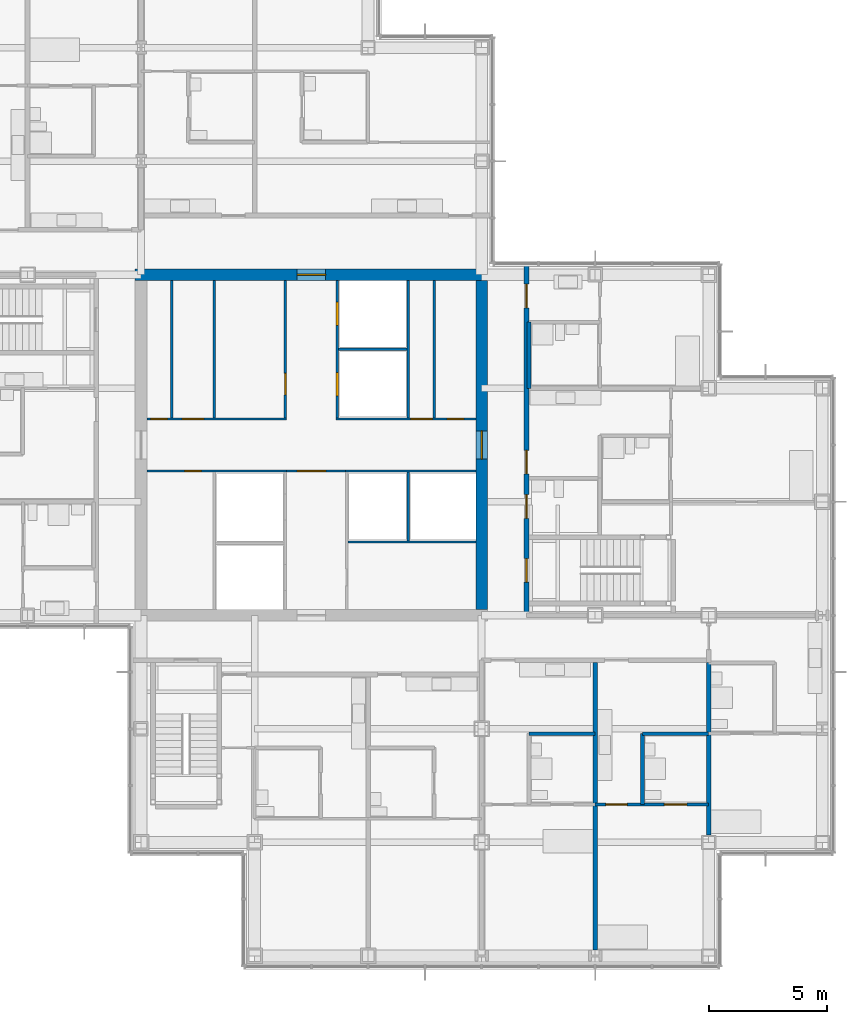
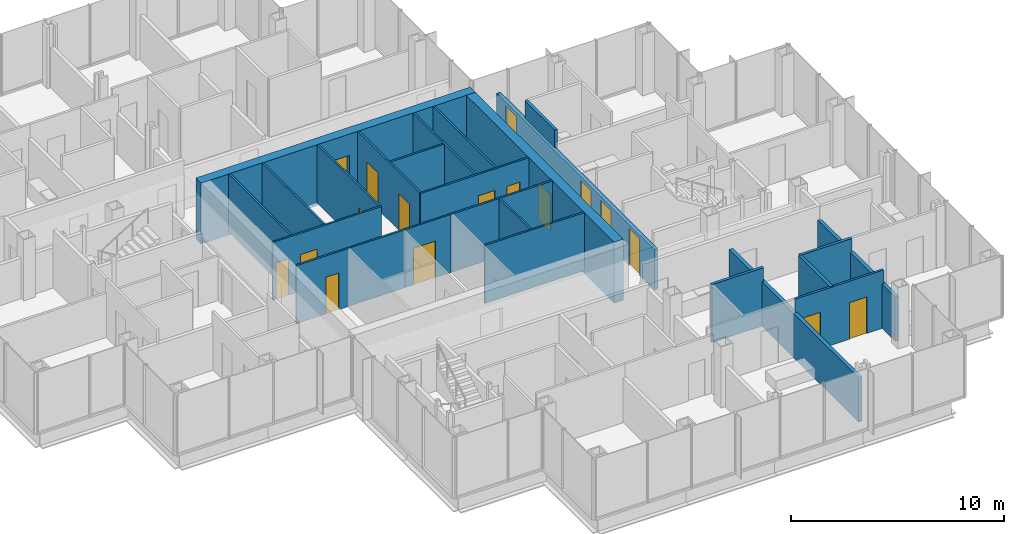
# One storey, part 15 of 20: 24 walls, 17 doors, 17 openings.
"""IFC4 building model written with IfcOpenShell, lengths in metres."""

from ifc_helpers import new_model, si_unit, direction, frame, frame_2d, origin, place, context, subcontext, project, spatial, rectangle, extrude, material, layer, layer_set, type_object, element, fill, save


model = new_model("IFC4")

# Units and contexts
model_context = context("Model", 3, precision=1e-05, world=origin(), true_north=direction((0.0, 1.0)))
body_context = subcontext(model_context, "Body", "Model", "MODEL_VIEW")
ifc_project = project(units=[si_unit("LENGTHUNIT", "METRE"), si_unit("AREAUNIT", "SQUARE_METRE"), si_unit("VOLUMEUNIT", "CUBIC_METRE"), si_unit("PLANEANGLEUNIT", "RADIAN"), si_unit("MASSUNIT", "GRAM", prefix="KILO")], contexts=[model_context])

# Site, building, storey
site_placement = place(None, origin())
site = spatial("IfcSite", under=ifc_project, at=site_placement, CompositionType="ELEMENT")
building_placement = place(site_placement, origin())
building = spatial("IfcBuilding", under=site, at=building_placement, Name="Kvirike Care Tower", CompositionType="ELEMENT")
storey_placement = place(building_placement, frame((0.0, 0.0, 105.0)))
storey = spatial("IfcBuildingStorey", under=building, at=storey_placement, Name="L28", CompositionType="ELEMENT", Elevation=105.0)

# Walls
ifc_material_1 = material(Name="Moisture-resistant board partition", Category="gypsum")
ifc_layer_1 = layer(ifc_material_1, 0.14990234375)
ifc_layer_set_1 = layer_set([ifc_layer_1], Name="BATHROOM WALL 150")
wall_type_1 = type_object("IfcWallType", Name="BATHROOM WALL 150", PredefinedType="PARTITIONING", material=ifc_layer_set_1)
wall_1_placement = place(storey_placement, frame((30.800048828125, 23.800048828125, 0.0), z_axis=(0.0, 0.0, 1.0), x_axis=(1.0, 0.0, 0.0)))
element("IfcWall", 1, at=wall_1_placement, inside=storey, type_object=wall_type_1, Name="Bathroom Wall 150 L28", PredefinedType="PARTITIONING", context=body_context, shape_type="SweptSolid", body=[
    extrude(rectangle(XDim=2.800048828125, YDim=0.14990234375, at=frame_2d((1.39990234375, 0.0))), origin(), (0.0, 0.0, 1.0), 3.330078125),
])
wall_2_placement = place(storey_placement, frame((35.60009765625, 20.800048828125, 0.0), z_axis=(0.0, 0.0, 1.0), x_axis=(0.0, 1.0, 0.0)))
element("IfcWall", 2, at=wall_2_placement, inside=storey, type_object=wall_type_1, Name="Bathroom Wall 150 L28", PredefinedType="PARTITIONING", context=body_context, shape_type="SweptSolid", body=[
    extrude(rectangle(XDim=3.0, YDim=0.14990234375, at=frame_2d((1.5, 0.0))), origin(), (0.0, 0.0, 1.0), 3.330078125),
])
wall_3_placement = place(storey_placement, frame((35.60009765625, 23.800048828125, 0.0), z_axis=(0.0, 0.0, 1.0), x_axis=(1.0, 0.0, 0.0)))
element("IfcWall", 3, at=wall_3_placement, inside=storey, type_object=wall_type_1, Name="Bathroom Wall 150 L28", PredefinedType="PARTITIONING", context=body_context, shape_type="SweptSolid", body=[
    extrude(rectangle(XDim=2.7998046875, YDim=0.14990234375, at=frame_2d((1.39990234375, 0.0))), origin(), (0.0, 0.0, 1.0), 3.330078125),
])
wall_4_placement = place(storey_placement, frame((30.800048828125, 38.39990234375, 0.0), z_axis=(0.0, 0.0, 1.0), x_axis=(0.0, 1.0, 0.0)))
element("IfcWall", 4, at=wall_4_placement, inside=storey, type_object=wall_type_1, Name="Bathroom Wall 150 L28", PredefinedType="PARTITIONING", context=body_context, shape_type="SweptSolid", body=[
    extrude(rectangle(XDim=2.800048828125, YDim=0.14990234375, at=frame_2d((1.39990234375, 0.0))), origin(), (0.0, 0.0, 1.0), 3.330078125),
])

# Wall, opening, door
ifc_material_2 = material(Name="Concrete C50/60", Category="concrete")
ifc_layer_2 = layer(ifc_material_2, 0.5)
ifc_layer_set_2 = layer_set([ifc_layer_2], Name="CORE WALL 500 C50-60")
wall_type_2 = type_object("IfcWallType", Name="CORE WALL 500 C50-60", PredefinedType="SHEAR", material=ifc_layer_set_2)
wall_5_placement = place(storey_placement, frame((29.050048828125, 43.199951171875, -0.169921875), z_axis=(0.0, 0.0, 1.0), x_axis=(-1.0, 0.0, 0.0)))
wall_5 = element("IfcWall", 5, at=wall_5_placement, inside=storey, type_object=wall_type_2, Name="Core wall N L28", PredefinedType="SHEAR", context=body_context, shape_type="SweptSolid", body=[
    extrude(rectangle(XDim=14.900146484375, YDim=0.5, at=frame_2d((7.4501953125, 0.0))), origin(), (0.0, 0.0, 1.0), 3.5),
])
opening_1_placement = place(wall_5_placement, frame((6.85009765625, 0.0, 0.169921875)))
opening_1 = element("IfcOpeningElement", 6, at=opening_1_placement, cuts=wall_5, Name="Opening 28-065", PredefinedType="OPENING", context=body_context, shape_type="SweptSolid", body=[
    extrude(rectangle(XDim=1.199951171875, YDim=2.10009765625, at=frame_2d((0.60009765625, 1.050048828125))), frame((0.0, 0.260498046875, 0.0), z_axis=(0.0, -1.0, 0.0), x_axis=(1.0, 0.0, 0.0)), (0.0, 0.0, 1.0), 0.52099609375),
])
ifc_material_3 = material(Name="Timber door set", Category="wood")
door_type_1 = type_object("IfcDoorType", Name="CORE DOOR 1200", OperationType="SINGLE_SWING_LEFT", PredefinedType="DOOR", material=ifc_material_3)
door_1_placement = place(opening_1_placement, origin())
door_1 = element("IfcDoor", 7, at=door_1_placement, inside=storey, type_object=door_type_1, Name="Core door N L28", OperationType="SINGLE_SWING_LEFT", OverallHeight=2.10009765625, OverallWidth=1.199951171875, PredefinedType="DOOR", context=body_context, shape_type="SweptSolid", body=[
    extrude(rectangle(XDim=1.199951171875, YDim=2.10009765625, at=frame_2d((0.60009765625, 1.050048828125))), frame((0.0, 0.02685546875, 0.0), z_axis=(0.0, -1.0, 0.0), x_axis=(1.0, 0.0, 0.0)), (0.0, 0.0, 1.0), 0.053955078125),
])
fill(opening_1, door_1)

wall_6_placement = place(storey_placement, frame((28.800048828125, 29.050048828125, -0.169921875), z_axis=(0.0, 0.0, 1.0), x_axis=(0.0, 1.0, 0.0)))
wall_6 = element("IfcWall", 8, at=wall_6_placement, inside=storey, type_object=wall_type_2, Name="Core wall E L28", PredefinedType="SHEAR", context=body_context, shape_type="SweptSolid", body=[
    extrude(rectangle(XDim=13.89990234375, YDim=0.5, at=frame_2d((6.949951171875, 0.0))), origin(), (0.0, 0.0, 1.0), 3.5),
])
opening_2_placement = place(wall_6_placement, frame((6.35009765625, 0.0, 0.169921875)))
opening_2 = element("IfcOpeningElement", 9, at=opening_2_placement, cuts=wall_6, Name="Opening 28-064", PredefinedType="OPENING", context=body_context, shape_type="SweptSolid", body=[
    extrude(rectangle(XDim=1.199951171875, YDim=2.10009765625, at=frame_2d((0.60009765625, 1.050048828125))), frame((0.0, 0.260498046875, 0.0), z_axis=(0.0, -1.0, 0.0), x_axis=(1.0, 0.0, 0.0)), (0.0, 0.0, 1.0), 0.52099609375),
])
door_2_placement = place(opening_2_placement, origin())
door_2 = element("IfcDoor", 10, at=door_2_placement, inside=storey, type_object=door_type_1, Name="Core door E L28", OperationType="SINGLE_SWING_LEFT", OverallHeight=2.10009765625, OverallWidth=1.199951171875, PredefinedType="DOOR", context=body_context, shape_type="SweptSolid", body=[
    extrude(rectangle(XDim=1.199951171875, YDim=2.10009765625, at=frame_2d((0.60009765625, 1.050048828125))), frame((0.0, 0.02685546875, 0.0), z_axis=(0.0, -1.0, 0.0), x_axis=(1.0, 0.0, 0.0)), (0.0, 0.0, 1.0), 0.053955078125),
])
fill(opening_2, door_2)

# Wall, openings, doors
ifc_material_4 = material(Name="Plasterboard corridor wall", Category="gypsum")
ifc_layer_3 = layer(ifc_material_4, 0.199951171875)
ifc_layer_set_3 = layer_set([ifc_layer_3], Name="CORRIDOR WALL 200")
wall_type_3 = type_object("IfcWallType", Name="CORRIDOR WALL 200", PredefinedType="PARTITIONING", material=ifc_layer_set_3)
wall_7_placement = place(storey_placement, frame((30.699951171875, 28.800048828125, 0.0), z_axis=(0.0, 0.0, 1.0), x_axis=(0.0, 1.0, 0.0)))
wall_7 = element("IfcWall", 11, at=wall_7_placement, inside=storey, type_object=wall_type_3, Name="Corridor Wall 200 L28", PredefinedType="PARTITIONING", context=body_context, shape_type="SweptSolid", body=[
    extrude(rectangle(XDim=14.83984375, YDim=0.199951171875, at=frame_2d((7.419921875, 0.0))), origin(), (0.0, 0.0, 1.0), 2.320068359375),
])
opening_3_placement = place(wall_7_placement, frame((1.39990234375, 0.0, 0.0)))
opening_3 = element("IfcOpeningElement", 12, at=opening_3_placement, cuts=wall_7, Name="Opening 28-046", PredefinedType="OPENING", context=body_context, shape_type="SweptSolid", body=[
    extrude(rectangle(XDim=1.0, YDim=2.10009765625, at=frame_2d((0.5, 1.050048828125))), frame((0.0, 0.110595703125, 0.0), z_axis=(0.0, -1.0, 0.0), x_axis=(1.0, 0.0, 0.0)), (0.0, 0.0, 1.0), 0.220947265625),
])
opening_4_placement = place(wall_7_placement, frame((4.10009765625, 0.0, 0.0)))
opening_4 = element("IfcOpeningElement", 13, at=opening_4_placement, cuts=wall_7, Name="Opening 28-047", PredefinedType="OPENING", context=body_context, shape_type="SweptSolid", body=[
    extrude(rectangle(XDim=1.0, YDim=2.10009765625, at=frame_2d((0.5, 1.050048828125))), frame((0.0, 0.110595703125, 0.0), z_axis=(0.0, -1.0, 0.0), x_axis=(1.0, 0.0, 0.0)), (0.0, 0.0, 1.0), 0.220947265625),
])
opening_5_placement = place(wall_7_placement, frame((5.97509765625, 0.0, 0.0)))
opening_5 = element("IfcOpeningElement", 14, at=opening_5_placement, cuts=wall_7, Name="Opening 28-048", PredefinedType="OPENING", context=body_context, shape_type="SweptSolid", body=[
    extrude(rectangle(XDim=1.0, YDim=2.10009765625, at=frame_2d((0.5, 1.050048828125))), frame((0.0, 0.110595703125, 0.0), z_axis=(0.0, -1.0, 0.0), x_axis=(1.0, 0.0, 0.0)), (0.0, 0.0, 1.0), 0.220947265625),
])
opening_6_placement = place(wall_7_placement, frame((13.0, 0.0, 0.0)))
opening_6 = element("IfcOpeningElement", 15, at=opening_6_placement, cuts=wall_7, Name="Opening 28-049", PredefinedType="OPENING", context=body_context, shape_type="SweptSolid", body=[
    extrude(rectangle(XDim=1.0, YDim=2.10009765625, at=frame_2d((0.5, 1.050048828125))), frame((0.0, 0.110595703125, 0.0), z_axis=(0.0, -1.0, 0.0), x_axis=(1.0, 0.0, 0.0)), (0.0, 0.0, 1.0), 0.220947265625),
])
ifc_material_5 = material(Name="Timber door set", Category="wood")
door_type_2 = type_object("IfcDoorType", Name="FLAT ENTRANCE DOOR 1000", OperationType="SINGLE_SWING_LEFT", PredefinedType="DOOR", material=ifc_material_5)
door_3_placement = place(opening_5_placement, frame((1.0, 0.0, 0.0), z_axis=(0.0, 0.0, 1.0), x_axis=(-1.0, 0.0, 0.0)))
door_3 = element("IfcDoor", 16, at=door_3_placement, inside=storey, type_object=door_type_2, Name="Assisted living suite entrance", OperationType="SINGLE_SWING_LEFT", OverallHeight=2.10009765625, OverallWidth=1.0, PredefinedType="DOOR", context=body_context, shape_type="SweptSolid", body=[
    extrude(rectangle(XDim=1.0, YDim=2.10009765625, at=frame_2d((0.5, 1.050048828125))), frame((0.0, 0.02685546875, 0.0), z_axis=(0.0, -1.0, 0.0), x_axis=(1.0, 0.0, 0.0)), (0.0, 0.0, 1.0), 0.053955078125),
])
fill(opening_5, door_3)
door_4_placement = place(opening_6_placement, frame((1.0, 0.0, 0.0), z_axis=(0.0, 0.0, 1.0), x_axis=(-1.0, 0.0, 0.0)))
door_4 = element("IfcDoor", 17, at=door_4_placement, inside=storey, type_object=door_type_2, Name="Assisted living suite entrance", OperationType="SINGLE_SWING_RIGHT", OverallHeight=2.10009765625, OverallWidth=1.0, PredefinedType="DOOR", context=body_context, shape_type="SweptSolid", body=[
    extrude(rectangle(XDim=1.0, YDim=2.10009765625, at=frame_2d((0.5, 1.050048828125))), frame((0.0, 0.02685546875, 0.0), z_axis=(0.0, -1.0, 0.0), x_axis=(1.0, 0.0, 0.0)), (0.0, 0.0, 1.0), 0.053955078125),
])
fill(opening_6, door_4)
ifc_material_6 = material(Name="Timber door set", Category="wood")
door_type_3 = type_object("IfcDoorType", Name="STAIR DOOR 1000", OperationType="SINGLE_SWING_LEFT", PredefinedType="DOOR", material=ifc_material_6)
door_5_placement = place(opening_3_placement, frame((1.0, 0.0, 0.0), z_axis=(0.0, 0.0, 1.0), x_axis=(-1.0, 0.0, 0.0)))
door_5 = element("IfcDoor", 18, at=door_5_placement, inside=storey, type_object=door_type_3, Name="Stair 2 door", OperationType="SINGLE_SWING_LEFT", OverallHeight=2.10009765625, OverallWidth=1.0, PredefinedType="DOOR", context=body_context, shape_type="SweptSolid", body=[
    extrude(rectangle(XDim=1.0, YDim=2.10009765625, at=frame_2d((0.5, 1.050048828125))), frame((0.0, 0.031982421875, 0.0), z_axis=(0.0, -1.0, 0.0), x_axis=(1.0, 0.0, 0.0)), (0.0, 0.0, 1.0), 0.06396484375),
])
fill(opening_3, door_5)
ifc_material_7 = material(Name="Timber door set", Category="wood")
door_type_4 = type_object("IfcDoorType", Name="WC DOOR 1000", OperationType="SINGLE_SWING_LEFT", PredefinedType="DOOR", material=ifc_material_7)
door_6_placement = place(opening_4_placement, frame((1.0, 0.0, 0.0), z_axis=(0.0, 0.0, 1.0), x_axis=(-1.0, 0.0, 0.0)))
door_6 = element("IfcDoor", 19, at=door_6_placement, inside=storey, type_object=door_type_4, Name="Accessible WC door", OperationType="SINGLE_SWING_LEFT", OverallHeight=2.10009765625, OverallWidth=1.0, PredefinedType="DOOR", context=body_context, shape_type="SweptSolid", body=[
    extrude(rectangle(XDim=1.0, YDim=2.10009765625, at=frame_2d((0.5, 1.050048828125))), frame((0.0, 0.02685546875, 0.0), z_axis=(0.0, -1.0, 0.0), x_axis=(1.0, 0.0, 0.0)), (0.0, 0.0, 1.0), 0.053955078125),
])
fill(opening_4, door_6)

ifc_material_8 = material(Name="Plasterboard partition", Category="gypsum")
ifc_layer_4 = layer(ifc_material_8, 0.1201171875)
ifc_layer_set_4 = layer_set([ifc_layer_4], Name="PARTITION 120")
wall_type_4 = type_object("IfcWallType", Name="PARTITION 120", PredefinedType="PARTITIONING", material=ifc_layer_set_4)
wall_8_placement = place(storey_placement, frame((33.60009765625, 20.800048828125, 0.0), z_axis=(0.0, 0.0, 1.0), x_axis=(1.0, 0.0, 0.0)))
wall_8 = element("IfcWall", 20, at=wall_8_placement, inside=storey, type_object=wall_type_4, Name="Partition 120 L28", PredefinedType="PARTITIONING", context=body_context, shape_type="SweptSolid", body=[
    extrude(rectangle(XDim=4.7998046875, YDim=0.1201171875, at=frame_2d((2.39990234375, 0.0))), origin(), (0.0, 0.0, 1.0), 3.330078125),
])
opening_7_placement = place(wall_8_placement, frame((0.449951171875, 0.0, 0.0)))
opening_7 = element("IfcOpeningElement", 21, at=opening_7_placement, cuts=wall_8, Name="Opening 28-034", PredefinedType="OPENING", context=body_context, shape_type="SweptSolid", body=[
    extrude(rectangle(XDim=0.89990234375, YDim=2.10009765625, at=frame_2d((0.449951171875, 1.050048828125))), frame((0.0, 0.070556640625, 0.0), z_axis=(0.0, -1.0, 0.0), x_axis=(1.0, 0.0, 0.0)), (0.0, 0.0, 1.0), 0.14111328125),
])
opening_8_placement = place(wall_8_placement, frame((2.925048828125, 0.0, 0.0)))
opening_8 = element("IfcOpeningElement", 22, at=opening_8_placement, cuts=wall_8, Name="Opening 28-035", PredefinedType="OPENING", context=body_context, shape_type="SweptSolid", body=[
    extrude(rectangle(XDim=0.949951171875, YDim=2.10009765625, at=frame_2d((0.47509765625, 1.050048828125))), frame((0.0, 0.070556640625, 0.0), z_axis=(0.0, -1.0, 0.0), x_axis=(1.0, 0.0, 0.0)), (0.0, 0.0, 1.0), 0.14111328125),
])
ifc_material_9 = material(Name="Timber door set", Category="wood")
door_type_5 = type_object("IfcDoorType", Name="EN-SUITE SLIDING DOOR 950", OperationType="SLIDING_TO_LEFT", PredefinedType="DOOR", material=ifc_material_9)
door_7_placement = place(opening_8_placement, origin())
door_7 = element("IfcDoor", 23, at=door_7_placement, inside=storey, type_object=door_type_5, Name="En-suite door", OperationType="SLIDING_TO_RIGHT", OverallHeight=2.10009765625, OverallWidth=0.949951171875, PredefinedType="DOOR", context=body_context, shape_type="SweptSolid", body=[
    extrude(rectangle(XDim=0.949951171875, YDim=2.10009765625, at=frame_2d((0.47509765625, 1.050048828125))), frame((0.0, 0.02197265625, 0.0), z_axis=(0.0, -1.0, 0.0), x_axis=(1.0, 0.0, 0.0)), (0.0, 0.0, 1.0), 0.0439453125),
])
fill(opening_8, door_7)
ifc_material_10 = material(Name="Timber door set", Category="wood")
door_type_6 = type_object("IfcDoorType", Name="INTERNAL DOOR 900", OperationType="SINGLE_SWING_LEFT", PredefinedType="DOOR", material=ifc_material_10)
door_8_placement = place(opening_7_placement, origin())
door_8 = element("IfcDoor", 24, at=door_8_placement, inside=storey, type_object=door_type_6, Name="Assisted living suite door", OperationType="SINGLE_SWING_RIGHT", OverallHeight=2.10009765625, OverallWidth=0.89990234375, PredefinedType="DOOR", context=body_context, shape_type="SweptSolid", body=[
    extrude(rectangle(XDim=0.89990234375, YDim=2.10009765625, at=frame_2d((0.449951171875, 1.050048828125))), frame((0.0, 0.02197265625, 0.0), z_axis=(0.0, -1.0, 0.0), x_axis=(1.0, 0.0, 0.0)), (0.0, 0.0, 1.0), 0.0439453125),
])
fill(opening_7, door_8)

# Walls
ifc_material_11 = material(Name="Plasterboard party wall", Category="gypsum")
ifc_layer_5 = layer(ifc_material_11, 0.199951171875)
ifc_layer_set_5 = layer_set([ifc_layer_5], Name="PARTY WALL 200")
wall_type_5 = type_object("IfcWallType", Name="PARTY WALL 200", PredefinedType="PARTITIONING", material=ifc_layer_set_5)
wall_9_placement = place(storey_placement, frame((33.60009765625, 14.64697265625, 0.0), z_axis=(0.0, 0.0, 1.0), x_axis=(0.0, 1.0, 0.0)))
element("IfcWall", 25, at=wall_9_placement, inside=storey, type_object=wall_type_5, Name="Party Wall 200 L28", PredefinedType="PARTITIONING", context=body_context, shape_type="SweptSolid", body=[
    extrude(rectangle(XDim=12.153076171875, YDim=0.199951171875, at=frame_2d((6.07666015625, 0.0))), origin(), (0.0, 0.0, 1.0), 2.550048828125),
])
wall_10_placement = place(storey_placement, frame((38.39990234375, 19.52001953125, 0.0), z_axis=(0.0, 0.0, 1.0), x_axis=(0.0, 1.0, 0.0)))
element("IfcWall", 26, at=wall_10_placement, inside=storey, type_object=wall_type_5, Name="Party Wall 200 L28", PredefinedType="PARTITIONING", context=body_context, shape_type="SweptSolid", body=[
    extrude(rectangle(XDim=7.280029296875, YDim=0.199951171875, at=frame_2d((3.64013671875, 0.0))), origin(), (0.0, 0.0, 1.0), 2.550048828125),
])
ifc_material_12 = material(Name="Gypsum shaft wall system", Category="gypsum")
ifc_layer_6 = layer(ifc_material_12, 0.10009765625)
ifc_layer_set_6 = layer_set([ifc_layer_6], Name="SHAFT WALL 100")
wall_type_6 = type_object("IfcWallType", Name="SHAFT WALL 100", PredefinedType="SOLIDWALL", material=ifc_layer_set_6)
for number, where, z_axis, x_axis, name in (
    (27, (15.699951171875, 37.14990234375, 0.0), (0.0, 0.0, 1.0), (0.0, 1.0, 0.0), "Shaft Wall 100 L28"),
    (28, (26.800048828125, 37.14990234375, 0.0), (0.0, 0.0, 1.0), (0.0, 1.0, 0.0), "Shaft Wall 100 L28"),
):
    element("IfcWall", number, at=place(storey_placement, frame(where, z_axis=z_axis, x_axis=x_axis)), inside=storey, type_object=wall_type_6, Name=name, PredefinedType="SOLIDWALL", context=body_context, shape_type="SweptSolid", body=[
        extrude(rectangle(XDim=5.800048828125, YDim=0.10009765625, at=frame_2d((2.89990234375, 0.0))), origin(), (0.0, 0.0, 1.0), 3.330078125),
    ])

# Wall, opening, door
wall_11_placement = place(storey_placement, frame((20.5, 37.14990234375, 0.0), z_axis=(0.0, 0.0, 1.0), x_axis=(0.0, 1.0, 0.0)))
wall_11 = element("IfcWall", 29, at=wall_11_placement, inside=storey, type_object=wall_type_6, Name="Shaft Wall 100 L28", PredefinedType="SOLIDWALL", context=body_context, shape_type="SweptSolid", body=[
    extrude(rectangle(XDim=5.800048828125, YDim=0.10009765625, at=frame_2d((2.89990234375, 0.0))), origin(), (0.0, 0.0, 1.0), 3.330078125),
])
opening_9_placement = place(wall_11_placement, frame((0.97509765625, 0.0, 0.0)))
opening_9 = element("IfcOpeningElement", 30, at=opening_9_placement, cuts=wall_11, Name="Opening 28-052", PredefinedType="OPENING", context=body_context, shape_type="SweptSolid", body=[
    extrude(rectangle(XDim=0.89990234375, YDim=2.10009765625, at=frame_2d((0.449951171875, 1.050048828125))), frame((0.0, 0.060546875, 0.0), z_axis=(0.0, -1.0, 0.0), x_axis=(1.0, 0.0, 0.0)), (0.0, 0.0, 1.0), 0.12109375),
])
ifc_material_13 = material(Name="Timber door set", Category="wood")
door_type_7 = type_object("IfcDoorType", Name="STORE DOOR 900", OperationType="SINGLE_SWING_LEFT", PredefinedType="DOOR", material=ifc_material_13)
door_9_placement = place(opening_9_placement, origin())
door_9 = element("IfcDoor", 31, at=door_9_placement, inside=storey, type_object=door_type_7, Name="Staff room door", OperationType="SINGLE_SWING_RIGHT", OverallHeight=2.10009765625, OverallWidth=0.89990234375, PredefinedType="DOOR", context=body_context, shape_type="SweptSolid", body=[
    extrude(rectangle(XDim=0.89990234375, YDim=2.10009765625, at=frame_2d((0.449951171875, 1.050048828125))), frame((0.0, 0.02685546875, 0.0), z_axis=(0.0, -1.0, 0.0), x_axis=(1.0, 0.0, 0.0)), (0.0, 0.0, 1.0), 0.053955078125),
])
fill(opening_9, door_9)

# Wall, openings, doors
wall_12_placement = place(storey_placement, frame((22.699951171875, 37.14990234375, 0.0), z_axis=(0.0, 0.0, 1.0), x_axis=(0.0, 1.0, 0.0)))
wall_12 = element("IfcWall", 32, at=wall_12_placement, inside=storey, type_object=wall_type_6, Name="Shaft Wall 100 L28", PredefinedType="SOLIDWALL", context=body_context, shape_type="SweptSolid", body=[
    extrude(rectangle(XDim=5.800048828125, YDim=0.10009765625, at=frame_2d((2.89990234375, 0.0))), origin(), (0.0, 0.0, 1.0), 3.330078125),
])
opening_10_placement = place(wall_12_placement, frame((0.925048828125, 0.0, 0.0)))
opening_10 = element("IfcOpeningElement", 33, at=opening_10_placement, cuts=wall_12, Name="Opening 28-053", PredefinedType="OPENING", context=body_context, shape_type="SweptSolid", body=[
    extrude(rectangle(XDim=1.0, YDim=2.10009765625, at=frame_2d((0.5, 1.050048828125))), frame((0.0, 0.060546875, 0.0), z_axis=(0.0, -1.0, 0.0), x_axis=(1.0, 0.0, 0.0)), (0.0, 0.0, 1.0), 0.12109375),
])
opening_11_placement = place(wall_12_placement, frame((3.89990234375, 0.0, 0.0)))
opening_11 = element("IfcOpeningElement", 34, at=opening_11_placement, cuts=wall_12, Name="Opening 28-054", PredefinedType="OPENING", context=body_context, shape_type="SweptSolid", body=[
    extrude(rectangle(XDim=1.0, YDim=2.10009765625, at=frame_2d((0.5, 1.050048828125))), frame((0.0, 0.060546875, 0.0), z_axis=(0.0, -1.0, 0.0), x_axis=(1.0, 0.0, 0.0)), (0.0, 0.0, 1.0), 0.12109375),
])
ifc_material_14 = material(Name="Aluminium door frame", Category="aluminium")
door_type_8 = type_object("IfcDoorType", Name="LIFT LANDING DOOR 1000", OperationType="SLIDING_TO_LEFT", PredefinedType="DOOR", material=ifc_material_14)
door_10_placement = place(opening_10_placement, origin())
door_10 = element("IfcDoor", 35, at=door_10_placement, inside=storey, type_object=door_type_8, Name="Lift P3 landing door", OperationType="SLIDING_TO_LEFT", OverallHeight=2.10009765625, OverallWidth=1.0, PredefinedType="DOOR", context=body_context, shape_type="SweptSolid", body=[
    extrude(rectangle(XDim=1.0, YDim=2.10009765625, at=frame_2d((0.5, 1.050048828125))), frame((0.0, 0.0498046875, 0.0), z_axis=(0.0, -1.0, 0.0), x_axis=(1.0, 0.0, 0.0)), (0.0, 0.0, 1.0), 0.099609375),
])
fill(opening_10, door_10)
door_11_placement = place(opening_11_placement, origin())
door_11 = element("IfcDoor", 36, at=door_11_placement, inside=storey, type_object=door_type_8, Name="Lift P4 landing door", OperationType="SLIDING_TO_LEFT", OverallHeight=2.10009765625, OverallWidth=1.0, PredefinedType="DOOR", context=body_context, shape_type="SweptSolid", body=[
    extrude(rectangle(XDim=1.0, YDim=2.10009765625, at=frame_2d((0.5, 1.050048828125))), frame((0.0, 0.0498046875, 0.0), z_axis=(0.0, -1.0, 0.0), x_axis=(1.0, 0.0, 0.0)), (0.0, 0.0, 1.0), 0.099609375),
])
fill(opening_11, door_11)

# Wall, opening, door
wall_13_placement = place(storey_placement, frame((14.64990234375, 34.89990234375, 0.0), z_axis=(0.0, 0.0, 1.0), x_axis=(1.0, 0.0, 0.0)))
wall_13 = element("IfcWall", 37, at=wall_13_placement, inside=storey, type_object=wall_type_6, Name="Shaft Wall 100 L28", PredefinedType="SOLIDWALL", context=body_context, shape_type="SweptSolid", body=[
    extrude(rectangle(XDim=5.900146484375, YDim=0.10009765625, at=frame_2d((2.9501953125, 0.0))), origin(), (0.0, 0.0, 1.0), 3.330078125),
])
opening_12_placement = place(wall_13_placement, frame((1.60009765625, 0.0, 0.0)))
opening_12 = element("IfcOpeningElement", 38, at=opening_12_placement, cuts=wall_13, Name="Opening 28-056", PredefinedType="OPENING", context=body_context, shape_type="SweptSolid", body=[
    extrude(rectangle(XDim=0.699951171875, YDim=2.10009765625, at=frame_2d((0.35009765625, 1.050048828125))), frame((0.0, 0.060546875, 0.0), z_axis=(0.0, -1.0, 0.0), x_axis=(1.0, 0.0, 0.0)), (0.0, 0.0, 1.0), 0.12109375),
])
ifc_material_15 = material(Name="Timber door set", Category="wood")
door_type_9 = type_object("IfcDoorType", Name="RISER DOOR 700", OperationType="SINGLE_SWING_LEFT", PredefinedType="DOOR", material=ifc_material_15)
door_12_placement = place(opening_12_placement, frame((0.699951171875, 0.0, 0.0), z_axis=(0.0, 0.0, 1.0), x_axis=(-1.0, 0.0, 0.0)))
door_12 = element("IfcDoor", 39, at=door_12_placement, inside=storey, type_object=door_type_9, Name="Riser door", OperationType="SINGLE_SWING_RIGHT", OverallHeight=2.10009765625, OverallWidth=0.699951171875, PredefinedType="DOOR", context=body_context, shape_type="SweptSolid", body=[
    extrude(rectangle(XDim=0.699951171875, YDim=2.10009765625, at=frame_2d((0.35009765625, 1.050048828125))), frame((0.0, 0.02685546875, 0.0), z_axis=(0.0, -1.0, 0.0), x_axis=(1.0, 0.0, 0.0)), (0.0, 0.0, 1.0), 0.053955078125),
])
fill(opening_12, door_12)

# Wall
wall_14_placement = place(storey_placement, frame((23.050048828125, 34.89990234375, 0.0), z_axis=(0.0, 0.0, 1.0), x_axis=(1.0, 0.0, 0.0)))
element("IfcWall", 40, at=wall_14_placement, inside=storey, type_object=wall_type_6, Name="Shaft Wall 100 L28", PredefinedType="SOLIDWALL", context=body_context, shape_type="SweptSolid", body=[
    extrude(rectangle(XDim=5.5, YDim=0.10009765625, at=frame_2d((2.75, 0.0))), origin(), (0.0, 0.0, 1.0), 3.330078125),
])

# Wall, openings, doors
wall_15_placement = place(storey_placement, frame((14.64990234375, 37.10009765625, 0.0), z_axis=(0.0, 0.0, 1.0), x_axis=(1.0, 0.0, 0.0)))
wall_15 = element("IfcWall", 41, at=wall_15_placement, inside=storey, type_object=wall_type_6, Name="Shaft Wall 100 L28", PredefinedType="SOLIDWALL", context=body_context, shape_type="SweptSolid", body=[
    extrude(rectangle(XDim=5.900146484375, YDim=0.10009765625, at=frame_2d((2.9501953125, 0.0))), origin(), (0.0, 0.0, 1.0), 3.330078125),
])
opening_13_placement = place(wall_15_placement, frame((0.14990234375, 0.0, 0.0)))
opening_13 = element("IfcOpeningElement", 42, at=opening_13_placement, cuts=wall_15, Name="Opening 28-057", PredefinedType="OPENING", context=body_context, shape_type="SweptSolid", body=[
    extrude(rectangle(XDim=0.699951171875, YDim=2.10009765625, at=frame_2d((0.35009765625, 1.050048828125))), frame((0.0, 0.060546875, 0.0), z_axis=(0.0, -1.0, 0.0), x_axis=(1.0, 0.0, 0.0)), (0.0, 0.0, 1.0), 0.12109375),
])
opening_14_placement = place(wall_15_placement, frame((1.5, 0.0, 0.0)))
opening_14 = element("IfcOpeningElement", 43, at=opening_14_placement, cuts=wall_15, Name="Opening 28-058", PredefinedType="OPENING", context=body_context, shape_type="SweptSolid", body=[
    extrude(rectangle(XDim=0.89990234375, YDim=2.10009765625, at=frame_2d((0.449951171875, 1.050048828125))), frame((0.0, 0.060546875, 0.0), z_axis=(0.0, -1.0, 0.0), x_axis=(1.0, 0.0, 0.0)), (0.0, 0.0, 1.0), 0.12109375),
])
door_13_placement = place(opening_13_placement, origin())
door_13 = element("IfcDoor", 44, at=door_13_placement, inside=storey, type_object=door_type_9, Name="Riser door", OperationType="SINGLE_SWING_RIGHT", OverallHeight=2.10009765625, OverallWidth=0.699951171875, PredefinedType="DOOR", context=body_context, shape_type="SweptSolid", body=[
    extrude(rectangle(XDim=0.699951171875, YDim=2.10009765625, at=frame_2d((0.35009765625, 1.050048828125))), frame((0.0, 0.02685546875, 0.0), z_axis=(0.0, -1.0, 0.0), x_axis=(1.0, 0.0, 0.0)), (0.0, 0.0, 1.0), 0.053955078125),
])
fill(opening_13, door_13)
door_14_placement = place(opening_14_placement, origin())
door_14 = element("IfcDoor", 45, at=door_14_placement, inside=storey, type_object=door_type_7, Name="Linen store door", OperationType="SINGLE_SWING_LEFT", OverallHeight=2.10009765625, OverallWidth=0.89990234375, PredefinedType="DOOR", context=body_context, shape_type="SweptSolid", body=[
    extrude(rectangle(XDim=0.89990234375, YDim=2.10009765625, at=frame_2d((0.449951171875, 1.050048828125))), frame((0.0, 0.02685546875, 0.0), z_axis=(0.0, -1.0, 0.0), x_axis=(1.0, 0.0, 0.0)), (0.0, 0.0, 1.0), 0.053955078125),
])
fill(opening_14, door_14)

wall_16_placement = place(storey_placement, frame((22.64990234375, 37.10009765625, 0.0), z_axis=(0.0, 0.0, 1.0), x_axis=(1.0, 0.0, 0.0)))
wall_16 = element("IfcWall", 46, at=wall_16_placement, inside=storey, type_object=wall_type_6, Name="Shaft Wall 100 L28", PredefinedType="SOLIDWALL", context=body_context, shape_type="SweptSolid", body=[
    extrude(rectangle(XDim=5.900146484375, YDim=0.10009765625, at=frame_2d((2.9501953125, 0.0))), origin(), (0.0, 0.0, 1.0), 3.330078125),
])
opening_15_placement = place(wall_16_placement, frame((3.14990234375, 0.0, 0.0)))
opening_15 = element("IfcOpeningElement", 47, at=opening_15_placement, cuts=wall_16, Name="Opening 28-059", PredefinedType="OPENING", context=body_context, shape_type="SweptSolid", body=[
    extrude(rectangle(XDim=0.89990234375, YDim=2.10009765625, at=frame_2d((0.449951171875, 1.050048828125))), frame((0.0, 0.060546875, 0.0), z_axis=(0.0, -1.0, 0.0), x_axis=(1.0, 0.0, 0.0)), (0.0, 0.0, 1.0), 0.12109375),
])
opening_16_placement = place(wall_16_placement, frame((4.699951171875, 0.0, 0.0)))
opening_16 = element("IfcOpeningElement", 48, at=opening_16_placement, cuts=wall_16, Name="Opening 28-060", PredefinedType="OPENING", context=body_context, shape_type="SweptSolid", body=[
    extrude(rectangle(XDim=0.699951171875, YDim=2.10009765625, at=frame_2d((0.35009765625, 1.050048828125))), frame((0.0, 0.060546875, 0.0), z_axis=(0.0, -1.0, 0.0), x_axis=(1.0, 0.0, 0.0)), (0.0, 0.0, 1.0), 0.12109375),
])
door_15_placement = place(opening_16_placement, origin())
door_15 = element("IfcDoor", 49, at=door_15_placement, inside=storey, type_object=door_type_9, Name="Riser door", OperationType="SINGLE_SWING_LEFT", OverallHeight=2.10009765625, OverallWidth=0.699951171875, PredefinedType="DOOR", context=body_context, shape_type="SweptSolid", body=[
    extrude(rectangle(XDim=0.699951171875, YDim=2.10009765625, at=frame_2d((0.35009765625, 1.050048828125))), frame((0.0, 0.02685546875, 0.0), z_axis=(0.0, -1.0, 0.0), x_axis=(1.0, 0.0, 0.0)), (0.0, 0.0, 1.0), 0.053955078125),
])
fill(opening_16, door_15)
door_16_placement = place(opening_15_placement, origin())
door_16 = element("IfcDoor", 50, at=door_16_placement, inside=storey, type_object=door_type_7, Name="IT room door", OperationType="SINGLE_SWING_LEFT", OverallHeight=2.10009765625, OverallWidth=0.89990234375, PredefinedType="DOOR", context=body_context, shape_type="SweptSolid", body=[
    extrude(rectangle(XDim=0.89990234375, YDim=2.10009765625, at=frame_2d((0.449951171875, 1.050048828125))), frame((0.0, 0.02685546875, 0.0), z_axis=(0.0, -1.0, 0.0), x_axis=(1.0, 0.0, 0.0)), (0.0, 0.0, 1.0), 0.053955078125),
])
fill(opening_15, door_16)

# Wall, opening, door
wall_17_placement = place(storey_placement, frame((20.550048828125, 34.89990234375, 0.0), z_axis=(0.0, 0.0, 1.0), x_axis=(1.0, 0.0, 0.0)))
wall_17 = element("IfcWall", 51, at=wall_17_placement, inside=storey, type_object=wall_type_6, Name="Shaft Wall 100 L28", PredefinedType="SOLIDWALL", context=body_context, shape_type="SweptSolid", body=[
    extrude(rectangle(XDim=2.5, YDim=0.10009765625, at=frame_2d((1.25, 0.0))), origin(), (0.0, 0.0, 1.0), 3.330078125),
])
opening_17_placement = place(wall_17_placement, frame((0.449951171875, 0.0, 0.0)))
opening_17 = element("IfcOpeningElement", 52, at=opening_17_placement, cuts=wall_17, Name="Opening 28-061", PredefinedType="OPENING", context=body_context, shape_type="SweptSolid", body=[
    extrude(rectangle(XDim=1.199951171875, YDim=2.10009765625, at=frame_2d((0.60009765625, 1.050048828125))), frame((0.0, 0.060546875, 0.0), z_axis=(0.0, -1.0, 0.0), x_axis=(1.0, 0.0, 0.0)), (0.0, 0.0, 1.0), 0.12109375),
])
door_17_placement = place(opening_17_placement, frame((1.199951171875, 0.0, 0.0), z_axis=(0.0, 0.0, 1.0), x_axis=(-1.0, 0.0, 0.0)))
door_17 = element("IfcDoor", 53, at=door_17_placement, inside=storey, type_object=door_type_1, Name="Fire-fighting lobby door", OperationType="SINGLE_SWING_LEFT", OverallHeight=2.10009765625, OverallWidth=1.199951171875, PredefinedType="DOOR", context=body_context, shape_type="SweptSolid", body=[
    extrude(rectangle(XDim=1.199951171875, YDim=2.10009765625, at=frame_2d((0.60009765625, 1.050048828125))), frame((0.0, 0.02685546875, 0.0), z_axis=(0.0, -1.0, 0.0), x_axis=(1.0, 0.0, 0.0)), (0.0, 0.0, 1.0), 0.053955078125),
])
fill(opening_17, door_17)

# Walls
wall_18_placement = place(storey_placement, frame((17.5, 37.14990234375, 0.0), z_axis=(0.0, 0.0, 1.0), x_axis=(0.0, 1.0, 0.0)))
element("IfcWall", 54, at=wall_18_placement, inside=storey, type_object=wall_type_6, Name="Shaft Wall 100 L28", PredefinedType="SOLIDWALL", context=body_context, shape_type="SweptSolid", body=[
    extrude(rectangle(XDim=5.800048828125, YDim=0.10009765625, at=frame_2d((2.89990234375, 0.0))), origin(), (0.0, 0.0, 1.0), 3.330078125),
])
wall_19_placement = place(storey_placement, frame((22.75, 40.050048828125, 0.0), z_axis=(0.0, 0.0, 1.0), x_axis=(1.0, 0.0, 0.0)))
element("IfcWall", 55, at=wall_19_placement, inside=storey, type_object=wall_type_6, Name="Shaft Wall 100 L28", PredefinedType="SOLIDWALL", context=body_context, shape_type="SweptSolid", body=[
    extrude(rectangle(XDim=2.89990234375, YDim=0.10009765625, at=frame_2d((1.449951171875, 0.0))), origin(), (0.0, 0.0, 1.0), 3.330078125),
])
wall_20_placement = place(storey_placement, frame((25.699951171875, 37.14990234375, 0.0), z_axis=(0.0, 0.0, 1.0), x_axis=(0.0, 1.0, 0.0)))
element("IfcWall", 56, at=wall_20_placement, inside=storey, type_object=wall_type_6, Name="Shaft Wall 100 L28", PredefinedType="SOLIDWALL", context=body_context, shape_type="SweptSolid", body=[
    extrude(rectangle(XDim=5.800048828125, YDim=0.10009765625, at=frame_2d((2.89990234375, 0.0))), origin(), (0.0, 0.0, 1.0), 3.330078125),
])
wall_21_placement = place(storey_placement, frame((25.699951171875, 31.949951171875, 0.0), z_axis=(0.0, 0.0, 1.0), x_axis=(0.0, 1.0, 0.0)))
element("IfcWall", 57, at=wall_21_placement, inside=storey, type_object=wall_type_6, Name="Shaft Wall 100 L28", PredefinedType="SOLIDWALL", context=body_context, shape_type="SweptSolid", body=[
    extrude(rectangle(XDim=2.900146484375, YDim=0.10009765625, at=frame_2d((1.4501953125, 0.0))), origin(), (0.0, 0.0, 1.0), 3.330078125),
])
wall_22_placement = place(storey_placement, frame((23.14990234375, 31.89990234375, 0.0), z_axis=(0.0, 0.0, 1.0), x_axis=(1.0, 0.0, 0.0)))
element("IfcWall", 58, at=wall_22_placement, inside=storey, type_object=wall_type_6, Name="Shaft Wall 100 L28", PredefinedType="SOLIDWALL", context=body_context, shape_type="SweptSolid", body=[
    extrude(rectangle(XDim=5.400146484375, YDim=0.10009765625, at=frame_2d((2.7001953125, 0.0))), origin(), (0.0, 0.0, 1.0), 3.330078125),
])

save(model, "model.ifc")
